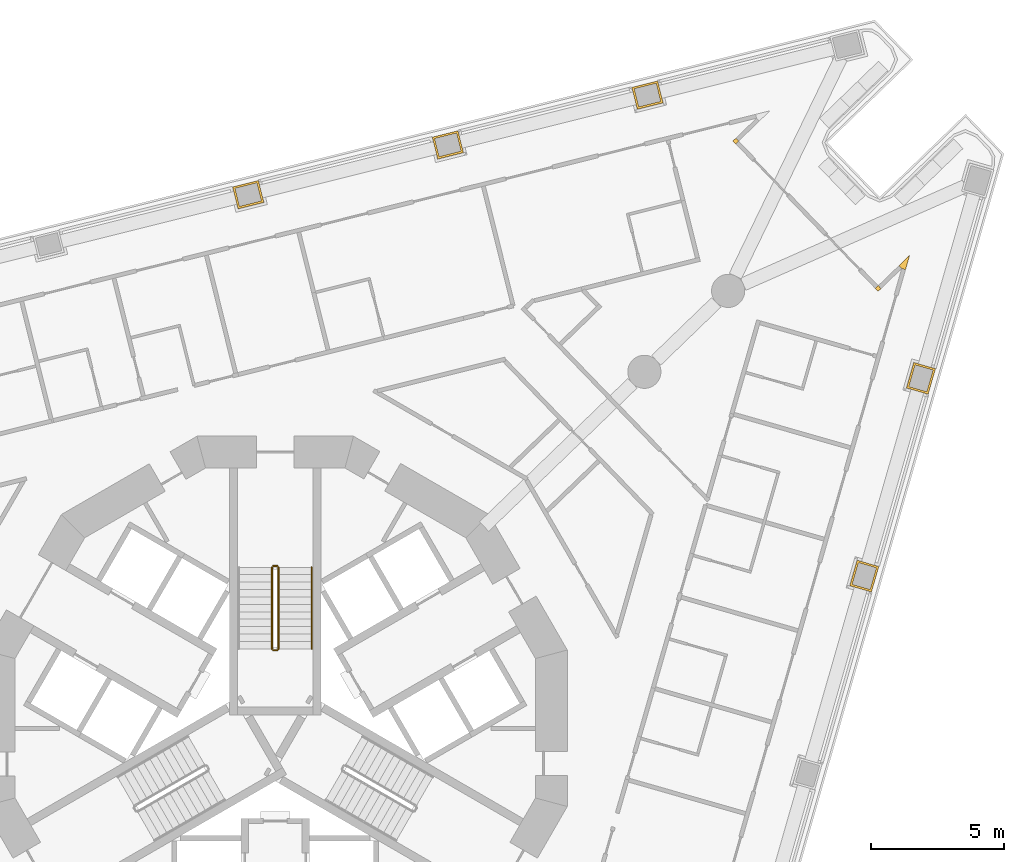
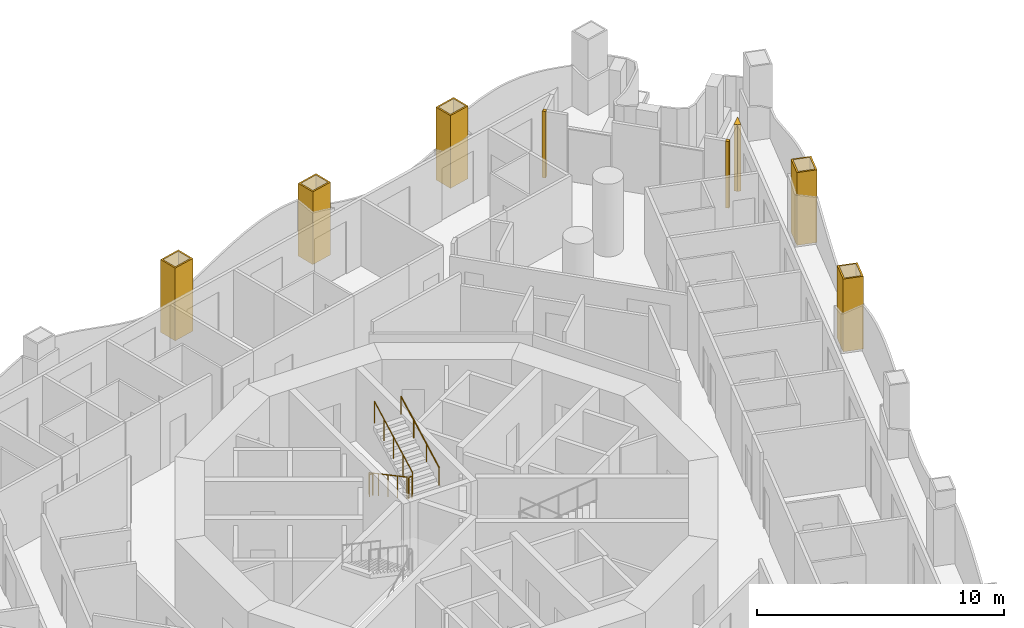
# One storey, part 18 of 20: 8 coverings, 5 railings.
"""IFC4 building model written with IfcOpenShell, lengths in metres."""

from ifc_helpers import new_model, si_unit, direction, frame, origin, origin_2d, place, context, subcontext, project, spatial, polyline, circle, outline, extrude, material, layer, layer_set, type_object, element, save


model = new_model("IFC4")

# Units and contexts
model_context = context("Model", 3, precision=1e-05, world=origin(), true_north=direction((0.0, 1.0)))
body_context = subcontext(model_context, "Body", "Model", "MODEL_VIEW")
ifc_project = project(units=[si_unit("LENGTHUNIT", "METRE"), si_unit("AREAUNIT", "SQUARE_METRE"), si_unit("VOLUMEUNIT", "CUBIC_METRE"), si_unit("PLANEANGLEUNIT", "RADIAN"), si_unit("MASSUNIT", "GRAM", prefix="KILO")], contexts=[model_context])

# Site, building, storey
site_placement = place(None, origin())
site = spatial("IfcSite", under=ifc_project, at=site_placement, CompositionType="ELEMENT")
building_placement = place(site_placement, origin())
building = spatial("IfcBuilding", under=site, at=building_placement, Name="Trine Commons Tower", CompositionType="ELEMENT")
storey_placement = place(building_placement, frame((0.0, 0.0, 108.89990234375)))
storey = spatial("IfcBuildingStorey", under=building, at=storey_placement, Name="L27", CompositionType="ELEMENT", Elevation=108.89990234375)

# Coverings
ifc_material_1 = material(Name="Aluminium-framed insulated wall panel", Category="aluminium")
ifc_layer_1 = layer(ifc_material_1, 0.14990234375)
ifc_layer_set_1 = layer_set([ifc_layer_1], Name="Aluminium-framed insulated wall panel")
covering_type_1 = type_object("IfcCoveringType", Name="Glazing corner post, aluminium", PredefinedType="CLADDING", material=ifc_layer_set_1)
covering_1_placement = place(storey_placement, origin())
element("IfcCovering", 1, at=covering_1_placement, inside=storey, type_object=covering_type_1, Name="Glazing corner post 3-06", PredefinedType="CLADDING", context=body_context, shape_type="SweptSolid", body=[
    extrude(outline(polyline([(97.36328125, 84.536376953125), (97.47119140625, 84.640380859375), (97.47119140625, 84.640380859375), (97.366943359375, 84.748291015625), (97.259033203125, 84.644287109375), (97.36328125, 84.536376953125)])), origin(), (0.0, 0.0, 1.0), 3.300048828125),
])
covering_2_placement = place(storey_placement, origin())
element("IfcCovering", 2, at=covering_2_placement, inside=storey, type_object=covering_type_1, Name="Glazing corner post 3-07", PredefinedType="CLADDING", context=body_context, shape_type="SweptSolid", body=[
    extrude(outline(polyline([(102.62890625, 79.083740234375), (102.73291015625, 78.975830078125), (102.8408203125, 79.080078125), (102.73681640625, 79.18798828125), (102.73681640625, 79.18798828125), (102.62890625, 79.083740234375)])), origin(), (0.0, 0.0, 1.0), 3.300048828125),
])
covering_3_placement = place(storey_placement, origin())
element("IfcCovering", 3, at=covering_3_placement, inside=storey, type_object=covering_type_1, Name="Glazing corner post 3-08", PredefinedType="CLADDING", context=body_context, shape_type="SweptSolid", body=[
    extrude(outline(polyline([(103.76611328125, 79.79296875), (103.92041015625, 80.3310546875), (103.517578125, 79.942138671875), (103.621826171875, 79.834228515625), (103.76611328125, 79.79296875)])), origin(), (0.0, 0.0, 1.0), 3.300048828125),
])
ifc_material_2 = material(Name="Limestone, honed", Category="masonry")
ifc_layer_2 = layer(ifc_material_2, 0.074951171875)
ifc_layer_set_2 = layer_set([ifc_layer_2], Name="Limestone, honed")
covering_type_2 = type_object("IfcCoveringType", Name="Limestone column cladding 75", PredefinedType="CLADDING", material=ifc_layer_set_2)
covering_4_placement = place(storey_placement, origin())
element("IfcCovering", 4, at=covering_4_placement, inside=storey, type_object=covering_type_2, Name="Limestone pier cladding 3-13", PredefinedType="CLADDING", context=body_context, shape_type="SweptSolid", body=[
    extrude(outline(polyline([(79.569091796875, 82.32861328125), (79.36328125, 83.1533203125), (78.39306640625, 82.91162109375), (78.598876953125, 82.0869140625), (79.569091796875, 82.32861328125)]), holes=[polyline([(79.47802734375, 82.38330078125), (79.308837890625, 83.0625), (78.484130859375, 82.85693359375), (78.6533203125, 82.177734375), (79.47802734375, 82.38330078125)])]), origin(), (0.0, 0.0, 1.0), 3.60009765625),
])
covering_5_placement = place(storey_placement, origin())
element("IfcCovering", 5, at=covering_5_placement, inside=storey, type_object=covering_type_2, Name="Limestone pier cladding 3-14", PredefinedType="CLADDING", context=body_context, shape_type="SweptSolid", body=[
    extrude(outline(polyline([(87.09619140625, 84.205322265625), (86.890625, 85.030029296875), (85.92041015625, 84.7880859375), (86.1259765625, 83.96337890625), (87.09619140625, 84.205322265625)]), holes=[polyline([(87.00537109375, 84.260009765625), (86.8359375, 84.939208984375), (86.01123046875, 84.733642578125), (86.1806640625, 84.054443359375), (87.00537109375, 84.260009765625)])]), origin(), (0.0, 0.0, 1.0), 3.60009765625),
])
covering_6_placement = place(storey_placement, origin())
element("IfcCovering", 6, at=covering_6_placement, inside=storey, type_object=covering_type_2, Name="Limestone pier cladding 3-15", PredefinedType="CLADDING", context=body_context, shape_type="SweptSolid", body=[
    extrude(outline(polyline([(94.62353515625, 86.082275390625), (94.417724609375, 86.906982421875), (93.447509765625, 86.6650390625), (93.6533203125, 85.84033203125), (94.62353515625, 86.082275390625)]), holes=[polyline([(94.532470703125, 86.13671875), (94.36328125, 86.81591796875), (93.53857421875, 86.6103515625), (93.707763671875, 85.93115234375), (94.532470703125, 86.13671875)])]), origin(), (0.0, 0.0, 1.0), 3.60009765625),
])
covering_7_placement = place(storey_placement, origin())
element("IfcCovering", 7, at=covering_7_placement, inside=storey, type_object=covering_type_2, Name="Limestone pier cladding 3-18", PredefinedType="CLADDING", context=body_context, shape_type="SweptSolid", body=[
    extrude(outline(polyline([(104.895263671875, 76.057373046875), (104.078125, 76.29150390625), (103.802490234375, 75.330322265625), (104.61962890625, 75.095947265625), (104.895263671875, 76.057373046875)]), holes=[polyline([(104.802490234375, 76.005859375), (104.129638671875, 76.19873046875), (103.895263671875, 75.381591796875), (104.568115234375, 75.188720703125), (104.802490234375, 76.005859375)])]), origin(), (0.0, 0.0, 1.0), 3.60009765625),
])
covering_8_placement = place(storey_placement, origin())
element("IfcCovering", 8, at=covering_8_placement, inside=storey, type_object=covering_type_2, Name="Limestone pier cladding 3-19", PredefinedType="CLADDING", context=body_context, shape_type="SweptSolid", body=[
    extrude(outline(polyline([(102.757080078125, 68.60009765625), (101.93994140625, 68.83447265625), (101.664306640625, 67.873291015625), (102.481201171875, 67.638916015625), (102.757080078125, 68.60009765625)]), holes=[polyline([(102.664306640625, 68.548828125), (101.9912109375, 68.74169921875), (101.757080078125, 67.924560546875), (102.429931640625, 67.731689453125), (102.664306640625, 68.548828125)])]), origin(), (0.0, 0.0, 1.0), 3.60009765625),
])

# Railings
ifc_material_3 = material(Name="Stainless steel balustrade", Category="steel")
railing_type_1 = type_object("IfcRailingType", Name="Stair guard, steel balustrade 1100", PredefinedType="GUARDRAIL", material=ifc_material_3)
railing_1_placement = place(storey_placement, frame((79.875, 68.570556640625, 0.150146484375)))
element("IfcRailing", 9, at=railing_1_placement, inside=storey, type_object=railing_type_1, Name="L27 ST1A stair guard 1", PredefinedType="GUARDRAIL", context=body_context, shape_type="SweptSolid", body=[
    extrude(circle(Radius=0.02392578125, at=origin_2d()), frame((0.0, 0.0, 1.076171875), z_axis=(0.0, -0.881496589024, 0.472190389079), x_axis=(1.0, 0.0, 0.0)), (0.0, 0.0, 1.0), 3.494140625),
    extrude(circle(Radius=0.02099609375, at=origin_2d()), origin(), (0.0, 0.0, 1.0), 1.052001953125),
    extrude(circle(Radius=0.02099609375, at=origin_2d()), frame((0.0, -0.77001953125, 0.41259765625)), (0.0, 0.0, 1.0), 1.052001953125),
    extrude(circle(Radius=0.02099609375, at=origin_2d()), frame((0.0, -1.5400390625, 0.824951171875)), (0.0, 0.0, 1.0), 1.052001953125),
    extrude(circle(Radius=0.02099609375, at=origin_2d()), frame((0.0, -2.31005859375, 1.2373046875)), (0.0, 0.0, 1.0), 1.052001953125),
    extrude(circle(Radius=0.02099609375, at=origin_2d()), frame((0.0, -3.080078125, 1.64990234375)), (0.0, 0.0, 1.0), 1.052001953125),
])
railing_2_placement = place(storey_placement, frame((79.925048828125, 65.440673828125, 1.800048828125)))
element("IfcRailing", 10, at=railing_2_placement, inside=storey, type_object=railing_type_1, Name="L27 ST1A stair guard 2", PredefinedType="GUARDRAIL", context=body_context, shape_type="SweptSolid", body=[
    extrude(circle(Radius=0.02392578125, at=origin_2d()), frame((0.0, 0.0, 1.076171875), z_axis=(1.0, 0.0, 0.0), x_axis=(0.0, 1.0, 0.0)), (0.0, 0.0, 1.0), 0.14990234375),
    extrude(circle(Radius=0.02099609375, at=origin_2d()), origin(), (0.0, 0.0, 1.0), 1.052001953125),
    extrude(circle(Radius=0.02099609375, at=origin_2d()), frame((0.14990234375, 0.0, 0.0)), (0.0, 0.0, 1.0), 1.052001953125),
])
railing_3_placement = place(storey_placement, frame((80.125, 65.490478515625, 1.9501953125)))
element("IfcRailing", 11, at=railing_3_placement, inside=storey, type_object=railing_type_1, Name="L27 ST1A stair guard 3", PredefinedType="GUARDRAIL", context=body_context, shape_type="SweptSolid", body=[
    extrude(circle(Radius=0.02392578125, at=origin_2d()), frame((0.0, 0.0, 1.076171875), z_axis=(0.0, 0.881496589024, 0.472190389079), x_axis=(-1.0, 0.0, 0.0)), (0.0, 0.0, 1.0), 3.494140625),
    extrude(circle(Radius=0.02099609375, at=origin_2d()), origin(), (0.0, 0.0, 1.0), 1.052001953125),
    extrude(circle(Radius=0.02099609375, at=origin_2d()), frame((0.0, 0.77001953125, 0.41259765625)), (0.0, 0.0, 1.0), 1.052001953125),
    extrude(circle(Radius=0.02099609375, at=origin_2d()), frame((0.0, 1.5400390625, 0.824951171875)), (0.0, 0.0, 1.0), 1.052001953125),
    extrude(circle(Radius=0.02099609375, at=origin_2d()), frame((0.0, 2.31005859375, 1.2373046875)), (0.0, 0.0, 1.0), 1.052001953125),
    extrude(circle(Radius=0.02099609375, at=origin_2d()), frame((0.0, 3.080078125, 1.64990234375)), (0.0, 0.0, 1.0), 1.052001953125),
])
railing_4_placement = place(storey_placement, frame((79.925048828125, 68.62060546875, 0.0)))
element("IfcRailing", 12, at=railing_4_placement, inside=storey, type_object=railing_type_1, Name="L27 ST1A stair guard 4", PredefinedType="GUARDRAIL", context=body_context, shape_type="SweptSolid", body=[
    extrude(circle(Radius=0.02392578125, at=origin_2d()), frame((0.0, 0.0, 1.076171875), z_axis=(1.0, 0.0, 0.0), x_axis=(0.0, 1.0, 0.0)), (0.0, 0.0, 1.0), 0.14990234375),
    extrude(circle(Radius=0.02099609375, at=origin_2d()), origin(), (0.0, 0.0, 1.0), 1.052001953125),
    extrude(circle(Radius=0.02099609375, at=origin_2d()), frame((0.14990234375, 0.0, 0.0)), (0.0, 0.0, 1.0), 1.052001953125),
])
ifc_material_4 = material(Name="Stainless steel handrail", Category="steel")
railing_type_2 = type_object("IfcRailingType", Name="Stair handrail, steel 900", PredefinedType="HANDRAIL", material=ifc_material_4)
railing_5_placement = place(storey_placement, frame((81.375, 65.490478515625, 1.9501953125)))
element("IfcRailing", 13, at=railing_5_placement, inside=storey, type_object=railing_type_2, Name="L27 ST1A stair handrail 2", PredefinedType="HANDRAIL", context=body_context, shape_type="SweptSolid", body=[
    extrude(circle(Radius=0.02099609375, at=origin_2d()), frame((0.0, 0.0, 0.87890625), z_axis=(0.0, 0.881496589024, 0.472190389079), x_axis=(-1.0, 0.0, 0.0)), (0.0, 0.0, 1.0), 3.494140625),
    extrude(circle(Radius=0.01513671875, at=origin_2d()), origin(), (0.0, 0.0, 1.0), 0.85791015625),
    extrude(circle(Radius=0.01513671875, at=origin_2d()), frame((0.0, 1.026611328125, 0.550048828125)), (0.0, 0.0, 1.0), 0.85791015625),
    extrude(circle(Radius=0.01513671875, at=origin_2d()), frame((0.0, 2.053466796875, 1.099853515625)), (0.0, 0.0, 1.0), 0.85791015625),
    extrude(circle(Radius=0.01513671875, at=origin_2d()), frame((0.0, 3.080078125, 1.64990234375)), (0.0, 0.0, 1.0), 0.85791015625),
])

save(model, "model.ifc")
